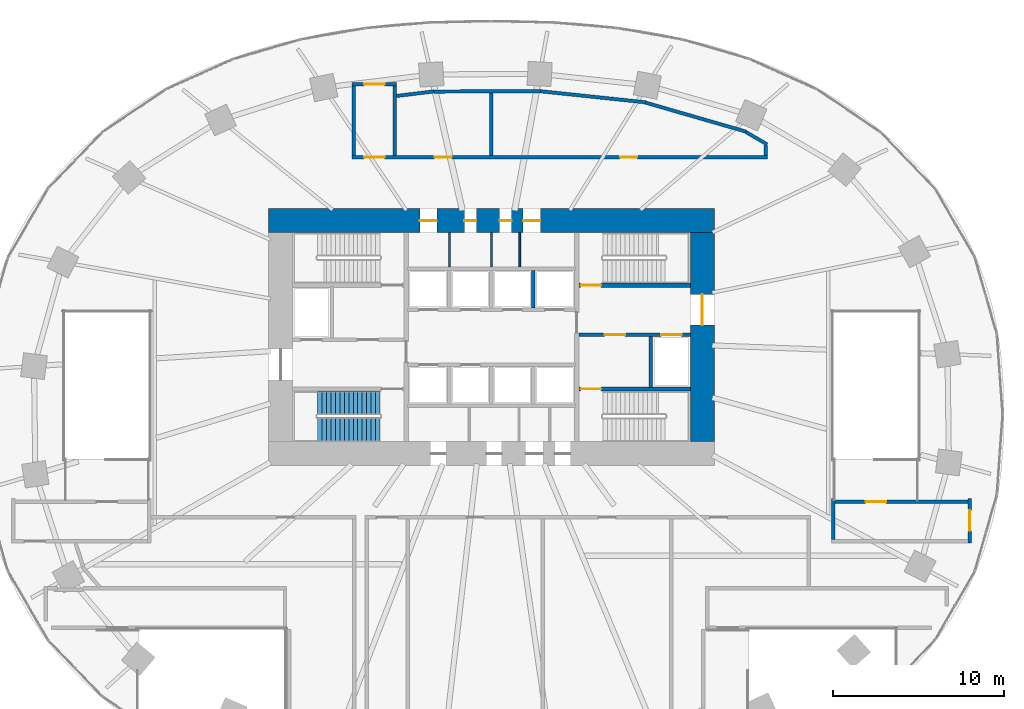
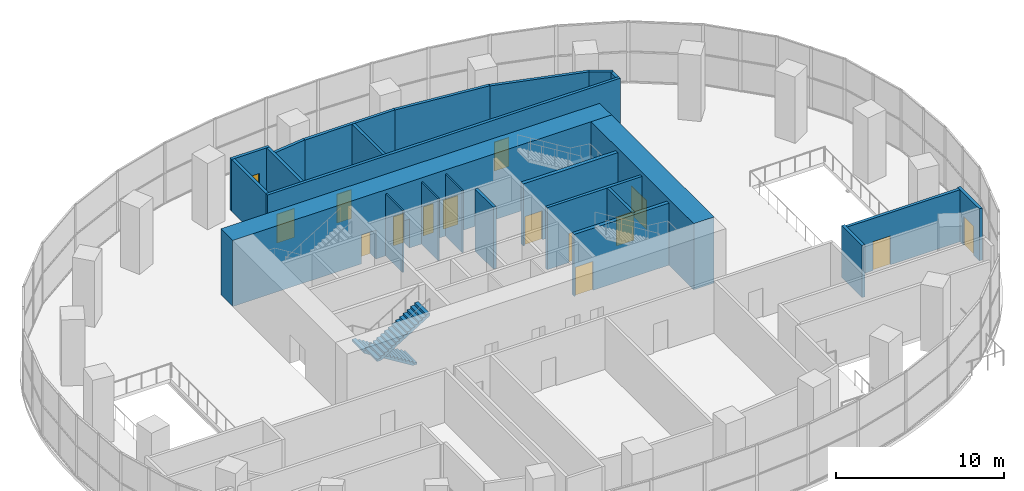
# One storey, part 13 of 17: 24 walls, 15 doors, 2 stair flights, 15 openings, 1 element without a shape of its own.
"""IFC4 building model written with IfcOpenShell, lengths in metres."""

from ifc_helpers import new_model, si_unit, direction, frame, frame_2d, origin, place, context, subcontext, project, spatial, polyline, rectangle, outline, extrude, material, layer, layer_set, type_object, element, fill, aggregate, save


model = new_model("IFC4")

# Units and contexts
model_context = context("Model", 3, precision=1e-05, world=origin(), true_north=direction((0.0, 1.0)))
body_context = subcontext(model_context, "Body", "Model", "MODEL_VIEW")
ifc_project = project(units=[si_unit("LENGTHUNIT", "METRE"), si_unit("AREAUNIT", "SQUARE_METRE"), si_unit("VOLUMEUNIT", "CUBIC_METRE"), si_unit("PLANEANGLEUNIT", "RADIAN"), si_unit("MASSUNIT", "GRAM", prefix="KILO")], contexts=[model_context])

# Site, building, storey
site_placement = place(None, origin())
site = spatial("IfcSite", under=ifc_project, at=site_placement, CompositionType="ELEMENT")
building_placement = place(site_placement, origin())
building = spatial("IfcBuilding", under=site, at=building_placement, Name="Rubra Terraces Tower", CompositionType="ELEMENT")
storey_placement = place(building_placement, frame((0.0, 0.0, 28.199951171875)))
storey = spatial("IfcBuildingStorey", under=building, at=storey_placement, Name="L04", CompositionType="ELEMENT", Elevation=28.199951171875)

# Wall, openings, doors
ifc_material_1 = material(Name="Concrete C70", Category="concrete")
ifc_layer_1 = layer(ifc_material_1, 1.39990234375)
ifc_layer_set_1 = layer_set([ifc_layer_1], Name="Concrete C70")
wall_type_1 = type_object("IfcWallType", Name="CORE WALL 1400 C70", PredefinedType="SHEAR", material=ifc_layer_set_1)
wall_1_placement = place(storey_placement, frame((-13.0, 11.300048828125, 0.0), z_axis=(0.0, 0.0, 1.0), x_axis=(1.0, 0.0, 0.0)))
wall_1 = element("IfcWall", 1, at=wall_1_placement, inside=storey, type_object=wall_type_1, Name="CORE WALL N L04", PredefinedType="SHEAR", context=body_context, shape_type="SweptSolid", body=[
    extrude(rectangle(XDim=26.0, YDim=1.39990234375, at=frame_2d((13.0, 0.0))), origin(), (0.0, 0.0, 1.0), 4.800048828125),
])
opening_1_placement = place(wall_1_placement, frame((8.824951171875, 0.0, 0.0)))
opening_1 = element("IfcOpeningElement", 2, at=opening_1_placement, cuts=wall_1, Name="Opening L04.C23", PredefinedType="OPENING", context=body_context, shape_type="SweptSolid", body=[
    extrude(rectangle(XDim=1.0, YDim=2.10009765625, at=frame_2d((0.5, 1.050048828125))), frame((0.0, 0.7099609375, 0.0), z_axis=(0.0, -1.0, 0.0), x_axis=(1.0, 0.0, 0.0)), (0.0, 0.0, 1.0), 1.419921875),
])
opening_2_placement = place(wall_1_placement, frame((11.425048828125, 0.0, 0.0)))
opening_2 = element("IfcOpeningElement", 3, at=opening_2_placement, cuts=wall_1, Name="Opening L04.C24", PredefinedType="OPENING", context=body_context, shape_type="SweptSolid", body=[
    extrude(rectangle(XDim=0.699951171875, YDim=2.10009765625, at=frame_2d((0.35009765625, 1.050048828125))), frame((0.0, 0.7099609375, 0.0), z_axis=(0.0, -1.0, 0.0), x_axis=(1.0, 0.0, 0.0)), (0.0, 0.0, 1.0), 1.419921875),
])
opening_3_placement = place(wall_1_placement, frame((13.47509765625, 0.0, 0.0)))
opening_3 = element("IfcOpeningElement", 4, at=opening_3_placement, cuts=wall_1, Name="Opening L04.C25", PredefinedType="OPENING", context=body_context, shape_type="SweptSolid", body=[
    extrude(rectangle(XDim=0.699951171875, YDim=2.10009765625, at=frame_2d((0.35009765625, 1.050048828125))), frame((0.0, 0.7099609375, 0.0), z_axis=(0.0, -1.0, 0.0), x_axis=(1.0, 0.0, 0.0)), (0.0, 0.0, 1.0), 1.419921875),
])
opening_4_placement = place(wall_1_placement, frame((14.85009765625, 0.0, 0.0)))
opening_4 = element("IfcOpeningElement", 5, at=opening_4_placement, cuts=wall_1, Name="Opening L04.C26", PredefinedType="OPENING", context=body_context, shape_type="SweptSolid", body=[
    extrude(rectangle(XDim=1.0, YDim=2.10009765625, at=frame_2d((0.5, 1.050048828125))), frame((0.0, 0.7099609375, 0.0), z_axis=(0.0, -1.0, 0.0), x_axis=(1.0, 0.0, 0.0)), (0.0, 0.0, 1.0), 1.419921875),
])
ifc_material_2 = material(Name="Painted steel", Category="steel")
door_type_1 = type_object("IfcDoorType", Name="Fire door 1000x2100 single", OperationType="NOTDEFINED", PredefinedType="DOOR", material=ifc_material_2)
door_1_placement = place(opening_1_placement, origin())
door_1 = element("IfcDoor", 6, at=door_1_placement, inside=storey, type_object=door_type_1, Name="Tea point door", OperationType="SINGLE_SWING_LEFT", OverallHeight=2.10009765625, OverallWidth=1.0, PredefinedType="DOOR", context=body_context, shape_type="SweptSolid", body=[
    extrude(rectangle(XDim=1.0, YDim=2.10009765625, at=frame_2d((0.5, 1.050048828125))), frame((0.0, 0.02490234375, 0.0), z_axis=(0.0, -1.0, 0.0), x_axis=(1.0, 0.0, 0.0)), (0.0, 0.0, 1.0), 0.050048828125),
])
fill(opening_1, door_1)
door_2_placement = place(opening_4_placement, origin())
door_2 = element("IfcDoor", 7, at=door_2_placement, inside=storey, type_object=door_type_1, Name="Refuse room door", OperationType="SINGLE_SWING_RIGHT", OverallHeight=2.10009765625, OverallWidth=1.0, PredefinedType="DOOR", context=body_context, shape_type="SweptSolid", body=[
    extrude(rectangle(XDim=1.0, YDim=2.10009765625, at=frame_2d((0.5, 1.050048828125))), frame((0.0, 0.02490234375, 0.0), z_axis=(0.0, -1.0, 0.0), x_axis=(1.0, 0.0, 0.0)), (0.0, 0.0, 1.0), 0.050048828125),
])
fill(opening_4, door_2)
door_type_2 = type_object("IfcDoorType", Name="Riser access door 700x2100 single", OperationType="NOTDEFINED", PredefinedType="DOOR", material=ifc_material_2)
door_3_placement = place(opening_2_placement, origin())
door_3 = element("IfcDoor", 8, at=door_3_placement, inside=storey, type_object=door_type_2, Name="Electrical riser room door", OperationType="SINGLE_SWING_RIGHT", OverallHeight=2.10009765625, OverallWidth=0.699951171875, PredefinedType="DOOR", context=body_context, shape_type="SweptSolid", body=[
    extrude(rectangle(XDim=0.699951171875, YDim=2.10009765625, at=frame_2d((0.35009765625, 1.050048828125))), frame((0.0, 0.02490234375, 0.0), z_axis=(0.0, -1.0, 0.0), x_axis=(1.0, 0.0, 0.0)), (0.0, 0.0, 1.0), 0.050048828125),
])
fill(opening_2, door_3)
door_4_placement = place(opening_3_placement, origin())
door_4 = element("IfcDoor", 9, at=door_4_placement, inside=storey, type_object=door_type_2, Name="Telecoms room door", OperationType="SINGLE_SWING_LEFT", OverallHeight=2.10009765625, OverallWidth=0.699951171875, PredefinedType="DOOR", context=body_context, shape_type="SweptSolid", body=[
    extrude(rectangle(XDim=0.699951171875, YDim=2.10009765625, at=frame_2d((0.35009765625, 1.050048828125))), frame((0.0, 0.02490234375, 0.0), z_axis=(0.0, -1.0, 0.0), x_axis=(1.0, 0.0, 0.0)), (0.0, 0.0, 1.0), 0.050048828125),
])
fill(opening_3, door_4)

# Wall, opening, door
wall_2_placement = place(storey_placement, frame((12.300048828125, -1.60009765625, 0.0), z_axis=(0.0, 0.0, 1.0), x_axis=(0.0, 1.0, 0.0)))
wall_2 = element("IfcWall", 10, at=wall_2_placement, inside=storey, type_object=wall_type_1, Name="CORE WALL E L04", PredefinedType="SHEAR", context=body_context, shape_type="SweptSolid", body=[
    extrude(rectangle(XDim=12.2001953125, YDim=1.39990234375, at=frame_2d((6.10009765625, 0.0))), origin(), (0.0, 0.0, 1.0), 4.800048828125),
])
opening_5_placement = place(wall_2_placement, frame((6.800048828125, 0.0, 0.0)))
opening_5 = element("IfcOpeningElement", 11, at=opening_5_placement, cuts=wall_2, Name="Opening L04.C02", PredefinedType="OPENING", context=body_context, shape_type="SweptSolid", body=[
    extrude(rectangle(XDim=1.800048828125, YDim=2.10009765625, at=frame_2d((0.89990234375, 1.050048828125))), frame((0.0, 0.7099609375, 0.0), z_axis=(0.0, -1.0, 0.0), x_axis=(1.0, 0.0, 0.0)), (0.0, 0.0, 1.0), 1.419921875),
])
door_type_3 = type_object("IfcDoorType", Name="Fire door 1800x2100 double", OperationType="NOTDEFINED", PredefinedType="DOOR", material=ifc_material_2)
door_5_placement = place(opening_5_placement, origin())
door_5 = element("IfcDoor", 12, at=door_5_placement, inside=storey, type_object=door_type_3, Name="Core entrance door FF2", OperationType="DOUBLE_DOOR_SINGLE_SWING", OverallHeight=2.10009765625, OverallWidth=1.800048828125, PredefinedType="DOOR", context=body_context, shape_type="SweptSolid", body=[
    extrude(rectangle(XDim=1.800048828125, YDim=2.10009765625, at=frame_2d((0.89990234375, 1.050048828125))), frame((0.0, 0.02490234375, 0.0), z_axis=(0.0, -1.0, 0.0), x_axis=(1.0, 0.0, 0.0)), (0.0, 0.0, 1.0), 0.050048828125),
])
fill(opening_5, door_5)

# Wall, openings, doors
ifc_material_3 = material(Name="Concrete C30", Category="concrete")
ifc_layer_2 = layer(ifc_material_3, 0.199951171875)
ifc_layer_set_2 = layer_set([ifc_layer_2], Name="Concrete C30")
wall_type_2 = type_object("IfcWallType", Name="Core wall 200 concrete", PredefinedType="SOLIDWALL", material=ifc_layer_set_2)
wall_3_placement = place(storey_placement, frame((11.60009765625, 4.64990234375, 0.0), z_axis=(0.0, 0.0, 1.0), x_axis=(-1.0, 0.0, 0.0)))
wall_3 = element("IfcWall", 13, at=wall_3_placement, inside=storey, type_object=wall_type_2, Name="STAIR WALL L04", PredefinedType="SOLIDWALL", context=body_context, shape_type="SweptSolid", body=[
    extrude(rectangle(XDim=6.5, YDim=0.199951171875, at=frame_2d((3.25, 0.0))), origin(), (0.0, 0.0, 1.0), 4.5),
])
opening_6_placement = place(wall_3_placement, frame((3.800048828125, 0.0, 0.0)))
opening_6 = element("IfcOpeningElement", 14, at=opening_6_placement, cuts=wall_3, Name="Opening L04.C06", PredefinedType="OPENING", context=body_context, shape_type="SweptSolid", body=[
    extrude(rectangle(XDim=1.199951171875, YDim=2.10009765625, at=frame_2d((0.60009765625, 1.050048828125))), frame((0.0, 0.10986328125, 0.0), z_axis=(0.0, -1.0, 0.0), x_axis=(1.0, 0.0, 0.0)), (0.0, 0.0, 1.0), 0.219970703125),
])
opening_7_placement = place(wall_3_placement, frame((0.5, 0.0, 0.0)))
opening_7 = element("IfcOpeningElement", 15, at=opening_7_placement, cuts=wall_3, Name="Opening L04.C12", PredefinedType="OPENING", context=body_context, shape_type="SweptSolid", body=[
    extrude(rectangle(XDim=1.199951171875, YDim=2.10009765625, at=frame_2d((0.60009765625, 1.050048828125))), frame((0.0, 0.10986328125, 0.0), z_axis=(0.0, -1.0, 0.0), x_axis=(1.0, 0.0, 0.0)), (0.0, 0.0, 1.0), 0.219970703125),
])
door_type_4 = type_object("IfcDoorType", Name="Fire door 1200x2100 single", OperationType="NOTDEFINED", PredefinedType="DOOR", material=ifc_material_2)
door_6_placement = place(opening_6_placement, origin())
door_6 = element("IfcDoor", 16, at=door_6_placement, inside=storey, type_object=door_type_4, Name="Stair vestibule door S4", OperationType="SINGLE_SWING_RIGHT", OverallHeight=2.10009765625, OverallWidth=1.199951171875, PredefinedType="DOOR", context=body_context, shape_type="SweptSolid", body=[
    extrude(rectangle(XDim=1.199951171875, YDim=2.10009765625, at=frame_2d((0.60009765625, 1.050048828125))), frame((0.0, 0.02490234375, 0.0), z_axis=(0.0, -1.0, 0.0), x_axis=(1.0, 0.0, 0.0)), (0.0, 0.0, 1.0), 0.050048828125),
])
fill(opening_6, door_6)
ifc_material_4 = material(Name="Stainless steel", Category="steel")
door_type_5 = type_object("IfcDoorType", Name="Lift landing door 1200x2100", OperationType="NOTDEFINED", PredefinedType="DOOR", material=ifc_material_4)
door_7_placement = place(opening_7_placement, origin())
door_7 = element("IfcDoor", 17, at=door_7_placement, inside=storey, type_object=door_type_5, Name="Landing door FF2", OperationType="SLIDING_TO_RIGHT", OverallHeight=2.10009765625, OverallWidth=1.199951171875, PredefinedType="DOOR", context=body_context, shape_type="SweptSolid", body=[
    extrude(rectangle(XDim=1.199951171875, YDim=2.10009765625, at=frame_2d((0.60009765625, 1.050048828125))), frame((0.0, 0.02490234375, 0.0), z_axis=(0.0, -1.0, 0.0), x_axis=(1.0, 0.0, 0.0)), (0.0, 0.0, 1.0), 0.050048828125),
])
fill(opening_7, door_7)

# Walls
wall_4_placement = place(storey_placement, frame((9.300048828125, 4.550048828125, 0.0), z_axis=(0.0, 0.0, 1.0), x_axis=(0.0, -1.0, 0.0)))
element("IfcWall", 18, at=wall_4_placement, inside=storey, type_object=wall_type_2, Name="STAIR WALL L04", PredefinedType="SOLIDWALL", context=body_context, shape_type="SweptSolid", body=[
    extrude(rectangle(XDim=3.0, YDim=0.199951171875, at=frame_2d((1.5, 0.0))), origin(), (0.0, 0.0, 1.0), 4.5),
])
wall_5_placement = place(storey_placement, frame((2.449951171875, 6.199951171875, 0.0), z_axis=(0.0, 0.0, 1.0), x_axis=(0.0, 1.0, 0.0)))
element("IfcWall", 19, at=wall_5_placement, inside=storey, type_object=wall_type_2, Name="LIFT SHAFT WALL L04", PredefinedType="SOLIDWALL", context=body_context, shape_type="SweptSolid", body=[
    extrude(rectangle(XDim=2.199951171875, YDim=0.199951171875, at=frame_2d((1.10009765625, 0.0))), origin(), (0.0, 0.0, 1.0), 4.5),
])

# Wall, opening, door
ifc_material_5 = material(Name="Blockwork", Category="masonry")
ifc_layer_3 = layer(ifc_material_5, 0.199951171875)
ifc_layer_set_3 = layer_set([ifc_layer_3], Name="Blockwork")
wall_type_3 = type_object("IfcWallType", Name="Corridor partition 200 blockwork", PredefinedType="PARTITIONING", material=ifc_layer_set_3)
wall_6_placement = place(storey_placement, frame((27.89990234375, -4.89990234375, 0.0), z_axis=(0.0, 0.0, 1.0), x_axis=(0.0, -1.0, 0.0)))
wall_6 = element("IfcWall", 20, at=wall_6_placement, inside=storey, type_object=wall_type_3, Name="Partition wall", PredefinedType="PARTITIONING", context=body_context, shape_type="SweptSolid", body=[
    extrude(rectangle(XDim=2.60009765625, YDim=0.199951171875, at=frame_2d((1.300048828125, 0.0))), origin(), (0.0, 0.0, 1.0), 3.780029296875),
])
opening_8_placement = place(wall_6_placement, frame((0.699951171875, 0.0, 0.0)))
opening_8 = element("IfcOpeningElement", 21, at=opening_8_placement, cuts=wall_6, Name="Opening DB7", PredefinedType="OPENING", context=body_context, shape_type="SweptSolid", body=[
    extrude(rectangle(XDim=1.199951171875, YDim=2.10009765625, at=frame_2d((0.60009765625, 1.050048828125))), frame((0.0, 0.10986328125, 0.0), z_axis=(0.0, -1.0, 0.0), x_axis=(1.0, 0.0, 0.0)), (0.0, 0.0, 1.0), 0.219970703125),
])
ifc_material_6 = material(Name="Painted timber", Category="wood")
door_type_6 = type_object("IfcDoorType", Name="Door 1200x2100 single", OperationType="NOTDEFINED", PredefinedType="DOOR", material=ifc_material_6)
door_8_placement = place(opening_8_placement, origin())
door_8 = element("IfcDoor", 22, at=door_8_placement, inside=storey, type_object=door_type_6, Name="Door L04-08", OperationType="SINGLE_SWING_LEFT", OverallHeight=2.10009765625, OverallWidth=1.199951171875, PredefinedType="DOOR", context=body_context, shape_type="SweptSolid", body=[
    extrude(rectangle(XDim=1.199951171875, YDim=2.10009765625, at=frame_2d((0.60009765625, 1.050048828125))), frame((0.0, 0.02490234375, 0.0), z_axis=(0.0, -1.0, 0.0), x_axis=(1.0, 0.0, 0.0)), (0.0, 0.0, 1.0), 0.050048828125),
])
fill(opening_8, door_8)

# Wall
wall_7_placement = place(storey_placement, frame((19.949951171875, -7.300048828125, 0.0), z_axis=(0.0, 0.0, 1.0), x_axis=(0.0, 1.0, 0.0)))
element("IfcWall", 23, at=wall_7_placement, inside=storey, type_object=wall_type_3, Name="Partition wall", PredefinedType="PARTITIONING", context=body_context, shape_type="SweptSolid", body=[
    extrude(rectangle(XDim=2.400146484375, YDim=0.199951171875, at=frame_2d((1.2001953125, 0.0))), origin(), (0.0, 0.0, 1.0), 3.780029296875),
])

# Wall, opening, door
wall_8_placement = place(storey_placement, frame((20.050048828125, -5.10009765625, 0.0), z_axis=(0.0, 0.0, 1.0), x_axis=(1.0, 0.0, 0.0)))
wall_8 = element("IfcWall", 24, at=wall_8_placement, inside=storey, type_object=wall_type_3, Name="Partition wall", PredefinedType="PARTITIONING", context=body_context, shape_type="SweptSolid", body=[
    extrude(rectangle(XDim=7.75, YDim=0.199951171875, at=frame_2d((3.875, 0.0))), origin(), (0.0, 0.0, 1.0), 3.780029296875),
])
opening_9_placement = place(wall_8_placement, frame((1.77490234375, 0.0, 0.0)))
opening_9 = element("IfcOpeningElement", 25, at=opening_9_placement, cuts=wall_8, Name="Opening DB7", PredefinedType="OPENING", context=body_context, shape_type="SweptSolid", body=[
    extrude(rectangle(XDim=1.199951171875, YDim=2.10009765625, at=frame_2d((0.60009765625, 1.050048828125))), frame((0.0, 0.10986328125, 0.0), z_axis=(0.0, -1.0, 0.0), x_axis=(1.0, 0.0, 0.0)), (0.0, 0.0, 1.0), 0.219970703125),
])
door_9_placement = place(opening_9_placement, origin())
door_9 = element("IfcDoor", 26, at=door_9_placement, inside=storey, type_object=door_type_6, Name="Stair door L04-07", OperationType="SINGLE_SWING_LEFT", OverallHeight=2.10009765625, OverallWidth=1.199951171875, PredefinedType="DOOR", context=body_context, shape_type="SweptSolid", body=[
    extrude(rectangle(XDim=1.199951171875, YDim=2.10009765625, at=frame_2d((0.60009765625, 1.050048828125))), frame((0.0, 0.02490234375, 0.0), z_axis=(0.0, -1.0, 0.0), x_axis=(1.0, 0.0, 0.0)), (0.0, 0.0, 1.0), 0.050048828125),
])
fill(opening_9, door_9)

wall_9_placement = place(storey_placement, frame((-8.1279296875, 19.258056640625, 0.0), z_axis=(0.0, 0.0, 1.0), x_axis=(1.0, 0.0, 0.0)))
wall_9 = element("IfcWall", 27, at=wall_9_placement, inside=storey, type_object=wall_type_3, Name="Partition wall", PredefinedType="PARTITIONING", context=body_context, shape_type="SweptSolid", body=[
    extrude(rectangle(XDim=2.599853515625, YDim=0.199951171875, at=frame_2d((1.2998046875, 0.0))), origin(), (0.0, 0.0, 1.0), 3.780029296875),
])
opening_10_placement = place(wall_9_placement, frame((0.699951171875, 0.0, 0.0)))
opening_10 = element("IfcOpeningElement", 28, at=opening_10_placement, cuts=wall_9, Name="Opening DB7", PredefinedType="OPENING", context=body_context, shape_type="SweptSolid", body=[
    extrude(rectangle(XDim=1.199951171875, YDim=2.10009765625, at=frame_2d((0.60009765625, 1.050048828125))), frame((0.0, 0.10986328125, 0.0), z_axis=(0.0, -1.0, 0.0), x_axis=(1.0, 0.0, 0.0)), (0.0, 0.0, 1.0), 0.219970703125),
])
door_10_placement = place(opening_10_placement, origin())
door_10 = element("IfcDoor", 29, at=door_10_placement, inside=storey, type_object=door_type_6, Name="Door L04-02", OperationType="SINGLE_SWING_LEFT", OverallHeight=2.10009765625, OverallWidth=1.199951171875, PredefinedType="DOOR", context=body_context, shape_type="SweptSolid", body=[
    extrude(rectangle(XDim=1.199951171875, YDim=2.10009765625, at=frame_2d((0.60009765625, 1.050048828125))), frame((0.0, 0.02490234375, 0.0), z_axis=(0.0, -1.0, 0.0), x_axis=(1.0, 0.0, 0.0)), (0.0, 0.0, 1.0), 0.050048828125),
])
fill(opening_10, door_10)

# Wall
wall_10_placement = place(storey_placement, frame((-5.6279296875, 19.157958984375, 0.0), z_axis=(0.0, 0.0, 1.0), x_axis=(0.0, -1.0, 0.0)))
element("IfcWall", 30, at=wall_10_placement, inside=storey, type_object=wall_type_3, Name="Partition wall", PredefinedType="PARTITIONING", context=body_context, shape_type="SweptSolid", body=[
    extrude(rectangle(XDim=4.057861328125, YDim=0.199951171875, at=frame_2d((2.02880859375, 0.0))), origin(), (0.0, 0.0, 1.0), 3.780029296875),
])

# Wall, openings, doors
wall_11_placement = place(storey_placement, frame((16.10009765625, 15.0, 0.0), z_axis=(0.0, 0.0, 1.0), x_axis=(-1.0, 0.0, 0.0)))
wall_11 = element("IfcWall", 31, at=wall_11_placement, inside=storey, type_object=wall_type_3, Name="Partition wall", PredefinedType="PARTITIONING", context=body_context, shape_type="SweptSolid", body=[
    extrude(rectangle(XDim=24.22802734375, YDim=0.199951171875, at=frame_2d((12.114013671875, 0.0))), origin(), (0.0, 0.0, 1.0), 3.780029296875),
])
opening_11_placement = place(wall_11_placement, frame((22.327880859375, 0.0, 0.0)))
opening_11 = element("IfcOpeningElement", 32, at=opening_11_placement, cuts=wall_11, Name="Opening DB7", PredefinedType="OPENING", context=body_context, shape_type="SweptSolid", body=[
    extrude(rectangle(XDim=1.199951171875, YDim=2.10009765625, at=frame_2d((0.60009765625, 1.050048828125))), frame((0.0, 0.10986328125, 0.0), z_axis=(0.0, -1.0, 0.0), x_axis=(1.0, 0.0, 0.0)), (0.0, 0.0, 1.0), 0.219970703125),
])
opening_12_placement = place(wall_11_placement, frame((18.4140625, 0.0, 0.0)))
opening_12 = element("IfcOpeningElement", 33, at=opening_12_placement, cuts=wall_11, Name="Opening DB1", PredefinedType="OPENING", context=body_context, shape_type="SweptSolid", body=[
    extrude(rectangle(XDim=1.0, YDim=2.10009765625, at=frame_2d((0.5, 1.050048828125))), frame((0.0, 0.10986328125, 0.0), z_axis=(0.0, -1.0, 0.0), x_axis=(1.0, 0.0, 0.0)), (0.0, 0.0, 1.0), 0.219970703125),
])
opening_13_placement = place(wall_11_placement, frame((7.60009765625, 0.0, 0.0)))
opening_13 = element("IfcOpeningElement", 34, at=opening_13_placement, cuts=wall_11, Name="Opening DB1", PredefinedType="OPENING", context=body_context, shape_type="SweptSolid", body=[
    extrude(rectangle(XDim=1.0, YDim=2.10009765625, at=frame_2d((0.5, 1.050048828125))), frame((0.0, 0.10986328125, 0.0), z_axis=(0.0, -1.0, 0.0), x_axis=(1.0, 0.0, 0.0)), (0.0, 0.0, 1.0), 0.219970703125),
])
door_type_7 = type_object("IfcDoorType", Name="Door 1000x2100 single", OperationType="NOTDEFINED", PredefinedType="DOOR", material=ifc_material_6)
door_11_placement = place(opening_12_placement, origin())
door_11 = element("IfcDoor", 35, at=door_11_placement, inside=storey, type_object=door_type_7, Name="Door L04-15", OperationType="SINGLE_SWING_LEFT", OverallHeight=2.10009765625, OverallWidth=1.0, PredefinedType="DOOR", context=body_context, shape_type="SweptSolid", body=[
    extrude(rectangle(XDim=1.0, YDim=2.10009765625, at=frame_2d((0.5, 1.050048828125))), frame((0.0, 0.02490234375, 0.0), z_axis=(0.0, -1.0, 0.0), x_axis=(1.0, 0.0, 0.0)), (0.0, 0.0, 1.0), 0.050048828125),
])
fill(opening_12, door_11)
door_12_placement = place(opening_13_placement, origin())
door_12 = element("IfcDoor", 36, at=door_12_placement, inside=storey, type_object=door_type_7, Name="Door L04-16", OperationType="SINGLE_SWING_LEFT", OverallHeight=2.10009765625, OverallWidth=1.0, PredefinedType="DOOR", context=body_context, shape_type="SweptSolid", body=[
    extrude(rectangle(XDim=1.0, YDim=2.10009765625, at=frame_2d((0.5, 1.050048828125))), frame((0.0, 0.02490234375, 0.0), z_axis=(0.0, -1.0, 0.0), x_axis=(1.0, 0.0, 0.0)), (0.0, 0.0, 1.0), 0.050048828125),
])
fill(opening_13, door_12)
door_13_placement = place(opening_11_placement, origin())
door_13 = element("IfcDoor", 37, at=door_13_placement, inside=storey, type_object=door_type_6, Name="Door L04-01", OperationType="SINGLE_SWING_LEFT", OverallHeight=2.10009765625, OverallWidth=1.199951171875, PredefinedType="DOOR", context=body_context, shape_type="SweptSolid", body=[
    extrude(rectangle(XDim=1.199951171875, YDim=2.10009765625, at=frame_2d((0.60009765625, 1.050048828125))), frame((0.0, 0.02490234375, 0.0), z_axis=(0.0, -1.0, 0.0), x_axis=(1.0, 0.0, 0.0)), (0.0, 0.0, 1.0), 0.050048828125),
])
fill(opening_11, door_13)

# Walls
wall_12_placement = place(storey_placement, frame((-8.028076171875, 15.10009765625, 0.0), z_axis=(0.0, 0.0, 1.0), x_axis=(0.0, 1.0, 0.0)))
element("IfcWall", 38, at=wall_12_placement, inside=storey, type_object=wall_type_3, Name="Partition wall", PredefinedType="PARTITIONING", context=body_context, shape_type="SweptSolid", body=[
    extrude(rectangle(XDim=4.057861328125, YDim=0.199951171875, at=frame_2d((2.02880859375, 0.0))), origin(), (0.0, 0.0, 1.0), 3.780029296875),
])
wall_13_placement = place(storey_placement, frame((-5.529052734375, 18.570068359375, 0.0), z_axis=(0.0, 0.0, 1.0), x_axis=(0.992659217013, 0.120944941522, 0.0)))
element("IfcWall", 39, at=wall_13_placement, inside=storey, type_object=wall_type_3, Name="Partition wall", PredefinedType="PARTITIONING", context=body_context, shape_type="SweptSolid", body=[
    extrude(rectangle(XDim=2.1982421875, YDim=0.199951171875, at=frame_2d((1.09912109375, 0.0))), origin(), (0.0, 0.0, 1.0), 3.780029296875),
])
wall_14_placement = place(storey_placement, frame((-3.345947265625, 18.823974609375, 0.0), z_axis=(0.0, 0.0, 1.0), x_axis=(0.999988297333, 0.004837891778, 0.0)))
element("IfcWall", 40, at=wall_14_placement, inside=storey, type_object=wall_type_3, Name="Partition wall", PredefinedType="PARTITIONING", context=body_context, shape_type="SweptSolid", body=[
    extrude(rectangle(XDim=6.20703125, YDim=0.199951171875, at=frame_2d((3.103515625, 0.0))), origin(), (0.0, 0.0, 1.0), 3.780029296875),
])
wall_15_placement = place(storey_placement, frame((2.860107421875, 18.843994140625, 0.0), z_axis=(0.0, 0.0, 1.0), x_axis=(0.994494179805, -0.10479182379, 0.0)))
element("IfcWall", 41, at=wall_15_placement, inside=storey, type_object=wall_type_3, Name="Partition wall", PredefinedType="PARTITIONING", context=body_context, shape_type="SweptSolid", body=[
    extrude(rectangle(XDim=6.173828125, YDim=0.199951171875, at=frame_2d((3.0869140625, 0.0))), origin(), (0.0, 0.0, 1.0), 3.780029296875),
])
ifc_layer_4 = layer(ifc_material_5, 0.199951171875)
ifc_layer_set_4 = layer_set([ifc_layer_4], Name="Blockwork")
wall_type_4 = type_object("IfcWallType", Name="Room partition 200 blockwork", PredefinedType="PARTITIONING", material=ifc_layer_set_4)
wall_16_placement = place(storey_placement, frame((0.0, 18.740966796875, 0.0), z_axis=(0.0, 0.0, 1.0), x_axis=(0.0, -1.0, 0.0)))
element("IfcWall", 42, at=wall_16_placement, inside=storey, type_object=wall_type_4, Name="Partition wall", PredefinedType="PARTITIONING", context=body_context, shape_type="SweptSolid", body=[
    extrude(rectangle(XDim=3.640869140625, YDim=0.199951171875, at=frame_2d((1.8203125, 0.0))), origin(), (0.0, 0.0, 1.0), 3.780029296875),
])
wall_17_placement = place(storey_placement, frame((8.9970703125, 18.178955078125, 0.0), z_axis=(0.0, 0.0, 1.0), x_axis=(0.960743591904, -0.277437831982, 0.0)))
element("IfcWall", 43, at=wall_17_placement, inside=storey, type_object=wall_type_4, Name="Partition wall", PredefinedType="PARTITIONING", context=body_context, shape_type="SweptSolid", body=[
    extrude(rectangle(XDim=6.098388671875, YDim=0.199951171875, at=frame_2d((3.04931640625, 0.0))), origin(), (0.0, 0.0, 1.0), 3.780029296875),
])
wall_18_placement = place(storey_placement, frame((14.845947265625, 16.465087890625, 0.0), z_axis=(0.0, 0.0, 1.0), x_axis=(0.863834413875, -0.503775848375, 0.0)))
element("IfcWall", 44, at=wall_18_placement, inside=storey, type_object=wall_type_4, Name="Partition wall", PredefinedType="PARTITIONING", context=body_context, shape_type="SweptSolid", body=[
    extrude(rectangle(XDim=1.435546875, YDim=0.199951171875, at=frame_2d((0.7177734375, 0.0))), origin(), (0.0, 0.0, 1.0), 3.780029296875),
])
wall_19_placement = place(storey_placement, frame((16.0, 15.69189453125, 0.0), z_axis=(0.0, 0.0, 1.0), x_axis=(0.0, -1.0, 0.0)))
element("IfcWall", 45, at=wall_19_placement, inside=storey, type_object=wall_type_4, Name="Partition wall", PredefinedType="PARTITIONING", context=body_context, shape_type="SweptSolid", body=[
    extrude(rectangle(XDim=0.591796875, YDim=0.199951171875, at=frame_2d((0.2958984375, 0.0))), origin(), (0.0, 0.0, 1.0), 3.780029296875),
])
ifc_layer_5 = layer(ifc_material_5, 0.10009765625)
ifc_layer_set_5 = layer_set([ifc_layer_5], Name="Blockwork")
wall_type_5 = type_object("IfcWallType", Name="Service partition 100 blockwork", PredefinedType="PARTITIONING", material=ifc_layer_set_5)
for number, where, z_axis, x_axis, name in (
    (46, (-2.449951171875, 8.60009765625, 0.0), (0.0, 0.0, 1.0), (0.0, 1.0, 0.0), "SERVICE ROOM PARTITION L04"),
    (47, (0.0, 8.60009765625, 0.0), (0.0, 0.0, 1.0), (0.0, 1.0, 0.0), "SERVICE ROOM PARTITION L04"),
    (48, (1.64990234375, 8.60009765625, 0.0), (0.0, 0.0, 1.0), (0.0, 1.0, 0.0), "SERVICE ROOM PARTITION L04"),
):
    element("IfcWall", number, at=place(storey_placement, frame(where, z_axis=z_axis, x_axis=x_axis)), inside=storey, type_object=wall_type_5, Name=name, PredefinedType="PARTITIONING", context=body_context, shape_type="SweptSolid", body=[
        extrude(rectangle(XDim=2.0, YDim=0.10009765625, at=frame_2d((1.0, 0.0))), origin(), (0.0, 0.0, 1.0), 4.5),
    ])

# Wall, opening, door
ifc_material_7 = material(Name="Concrete C40", Category="concrete")
ifc_layer_6 = layer(ifc_material_7, 0.25)
ifc_layer_set_6 = layer_set([ifc_layer_6], Name="Concrete C40")
wall_type_6 = type_object("IfcWallType", Name="Stair enclosure wall 250 concrete", PredefinedType="SOLIDWALL", material=ifc_layer_set_6)
wall_20_placement = place(storey_placement, frame((11.60009765625, 7.52490234375, 0.0), z_axis=(0.0, 0.0, 1.0), x_axis=(-1.0, 0.0, 0.0)))
wall_20 = element("IfcWall", 49, at=wall_20_placement, inside=storey, type_object=wall_type_6, Name="STAIR WALL L04", PredefinedType="SOLIDWALL", context=body_context, shape_type="SweptSolid", body=[
    extrude(rectangle(XDim=6.5, YDim=0.25, at=frame_2d((3.25, 0.0))), origin(), (0.0, 0.0, 1.0), 4.5),
])
opening_14_placement = place(wall_20_placement, frame((5.199951171875, 0.0, 0.0)))
opening_14 = element("IfcOpeningElement", 50, at=opening_14_placement, cuts=wall_20, Name="Opening L04.C08", PredefinedType="OPENING", context=body_context, shape_type="SweptSolid", body=[
    extrude(rectangle(XDim=1.199951171875, YDim=2.10009765625, at=frame_2d((0.60009765625, 1.050048828125))), frame((0.0, 0.135009765625, 0.0), z_axis=(0.0, -1.0, 0.0), x_axis=(1.0, 0.0, 0.0)), (0.0, 0.0, 1.0), 0.27001953125),
])
door_14_placement = place(opening_14_placement, origin())
door_14 = element("IfcDoor", 51, at=door_14_placement, inside=storey, type_object=door_type_4, Name="Stair door S3", OperationType="SINGLE_SWING_RIGHT", OverallHeight=2.10009765625, OverallWidth=1.199951171875, PredefinedType="DOOR", context=body_context, shape_type="SweptSolid", body=[
    extrude(rectangle(XDim=1.199951171875, YDim=2.10009765625, at=frame_2d((0.60009765625, 1.050048828125))), frame((0.0, 0.02490234375, 0.0), z_axis=(0.0, -1.0, 0.0), x_axis=(1.0, 0.0, 0.0)), (0.0, 0.0, 1.0), 0.050048828125),
])
fill(opening_14, door_14)

wall_21_placement = place(storey_placement, frame((11.60009765625, 1.47509765625, 0.0), z_axis=(0.0, 0.0, 1.0), x_axis=(-1.0, 0.0, 0.0)))
wall_21 = element("IfcWall", 52, at=wall_21_placement, inside=storey, type_object=wall_type_6, Name="STAIR WALL L04", PredefinedType="SOLIDWALL", context=body_context, shape_type="SweptSolid", body=[
    extrude(rectangle(XDim=6.5, YDim=0.25, at=frame_2d((3.25, 0.0))), origin(), (0.0, 0.0, 1.0), 4.5),
])
opening_15_placement = place(wall_21_placement, frame((5.199951171875, 0.0, 0.0)))
opening_15 = element("IfcOpeningElement", 53, at=opening_15_placement, cuts=wall_21, Name="Opening L04.C10", PredefinedType="OPENING", context=body_context, shape_type="SweptSolid", body=[
    extrude(rectangle(XDim=1.199951171875, YDim=2.10009765625, at=frame_2d((0.60009765625, 1.050048828125))), frame((0.0, 0.135009765625, 0.0), z_axis=(0.0, -1.0, 0.0), x_axis=(1.0, 0.0, 0.0)), (0.0, 0.0, 1.0), 0.27001953125),
])
door_15_placement = place(opening_15_placement, origin())
door_15 = element("IfcDoor", 54, at=door_15_placement, inside=storey, type_object=door_type_4, Name="Stair door S4", OperationType="SINGLE_SWING_RIGHT", OverallHeight=2.10009765625, OverallWidth=1.199951171875, PredefinedType="DOOR", context=body_context, shape_type="SweptSolid", body=[
    extrude(rectangle(XDim=1.199951171875, YDim=2.10009765625, at=frame_2d((0.60009765625, 1.050048828125))), frame((0.0, 0.02490234375, 0.0), z_axis=(0.0, -1.0, 0.0), x_axis=(1.0, 0.0, 0.0)), (0.0, 0.0, 1.0), 0.050048828125),
])
fill(opening_15, door_15)

# Stair, stair flights
stair_type = type_object("IfcStairType", Name="Core stair 1400", PredefinedType="HALF_TURN_STAIR", material=ifc_material_7)
stair_placement = place(storey_placement, origin())
stair = element("IfcStair", 55, at=stair_placement, inside=storey, type_object=stair_type, Name="L04 Exit stair S1", PredefinedType="HALF_TURN_STAIR")
stair_flight_type = type_object("IfcStairFlightType", Name="Core stair flight 1400", PredefinedType="STRAIGHT", material=ifc_material_7)
stair_flight_1_placement = place(storey_placement, frame((-6.5, 0.64990234375, 0.0), z_axis=(0.0, 0.0, 1.0), x_axis=(-1.0, 0.0, 0.0)))
stair_flight_1 = element("IfcStairFlight", 56, at=stair_flight_1_placement, type_object=stair_flight_type, Name="S1 flight 1", NumberOfRisers=15, NumberOfTreads=14, PredefinedType="STRAIGHT", RiserHeight=0.16, TreadLength=0.26, context=body_context, shape_type="SweptSolid", body=[
    extrude(outline(polyline([(0.0, 0.0), (0.0, 0.159912109375), (0.260009765625, 0.159912109375), (0.260009765625, 0.320068359375), (0.52001953125, 0.320068359375), (0.52001953125, 0.47998046875), (0.780029296875, 0.47998046875), (0.780029296875, 0.639892578125), (1.0400390625, 0.639892578125), (1.0400390625, 0.800048828125), (1.300048828125, 0.800048828125), (1.300048828125, 0.9599609375), (1.56005859375, 0.9599609375), (1.56005859375, 1.1201171875), (1.820068359375, 1.1201171875), (1.820068359375, 1.280029296875), (2.080078125, 1.280029296875), (2.080078125, 1.43994140625), (2.340087890625, 1.43994140625), (2.340087890625, 1.60009765625), (2.60009765625, 1.60009765625), (2.60009765625, 1.760009765625), (2.860107421875, 1.760009765625), (2.860107421875, 1.919921875), (3.1201171875, 1.919921875), (3.1201171875, 2.080078125), (3.3798828125, 2.080078125), (3.3798828125, 2.239990234375), (3.639892578125, 2.239990234375), (3.639892578125, 2.39990234375), (3.639892578125, 2.06396484375), (0.2861328125, 0.0), (0.0, 0.0)])), frame((0.0, 0.699951171875, 0.0), z_axis=(0.0, -1.0, 0.0), x_axis=(1.0, 0.0, 0.0)), (0.0, 0.0, 1.0), 1.39990234375),
])
stair_flight_2_placement = place(storey_placement, frame((-10.139892578125, -0.89990234375, 2.400146484375), z_axis=(0.0, 0.0, 1.0), x_axis=(1.0, 0.0, 0.0)))
stair_flight_2 = element("IfcStairFlight", 57, at=stair_flight_2_placement, type_object=stair_flight_type, Name="S1 flight 2", NumberOfRisers=15, NumberOfTreads=14, PredefinedType="STRAIGHT", RiserHeight=0.16, TreadLength=0.26, context=body_context, shape_type="SweptSolid", body=[
    extrude(outline(polyline([(0.0, 0.0), (0.0, 0.159912109375), (0.260009765625, 0.159912109375), (0.260009765625, 0.320068359375), (0.52001953125, 0.320068359375), (0.52001953125, 0.47998046875), (0.780029296875, 0.47998046875), (0.780029296875, 0.639892578125), (1.0400390625, 0.639892578125), (1.0400390625, 0.800048828125), (1.300048828125, 0.800048828125), (1.300048828125, 0.9599609375), (1.56005859375, 0.9599609375), (1.56005859375, 1.1201171875), (1.820068359375, 1.1201171875), (1.820068359375, 1.280029296875), (2.080078125, 1.280029296875), (2.080078125, 1.43994140625), (2.340087890625, 1.43994140625), (2.340087890625, 1.60009765625), (2.60009765625, 1.60009765625), (2.60009765625, 1.760009765625), (2.860107421875, 1.760009765625), (2.860107421875, 1.919921875), (3.1201171875, 1.919921875), (3.1201171875, 2.080078125), (3.3798828125, 2.080078125), (3.3798828125, 2.239990234375), (3.639892578125, 2.239990234375), (3.639892578125, 2.39990234375), (3.639892578125, 2.06396484375), (0.2861328125, 0.0), (0.0, 0.0)])), frame((0.0, 0.699951171875, 0.0), z_axis=(0.0, -1.0, 0.0), x_axis=(1.0, 0.0, 0.0)), (0.0, 0.0, 1.0), 1.39990234375),
])
aggregate(stair, [stair_flight_1, stair_flight_2])

save(model, "model.ifc")
